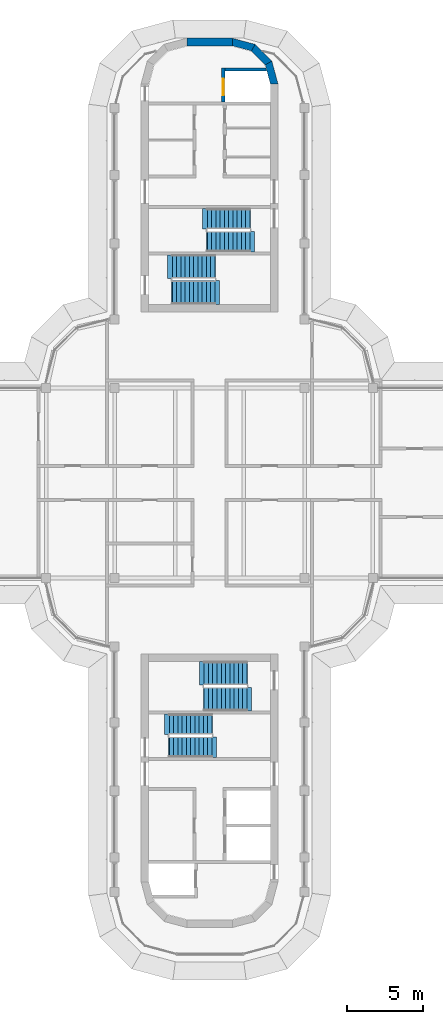
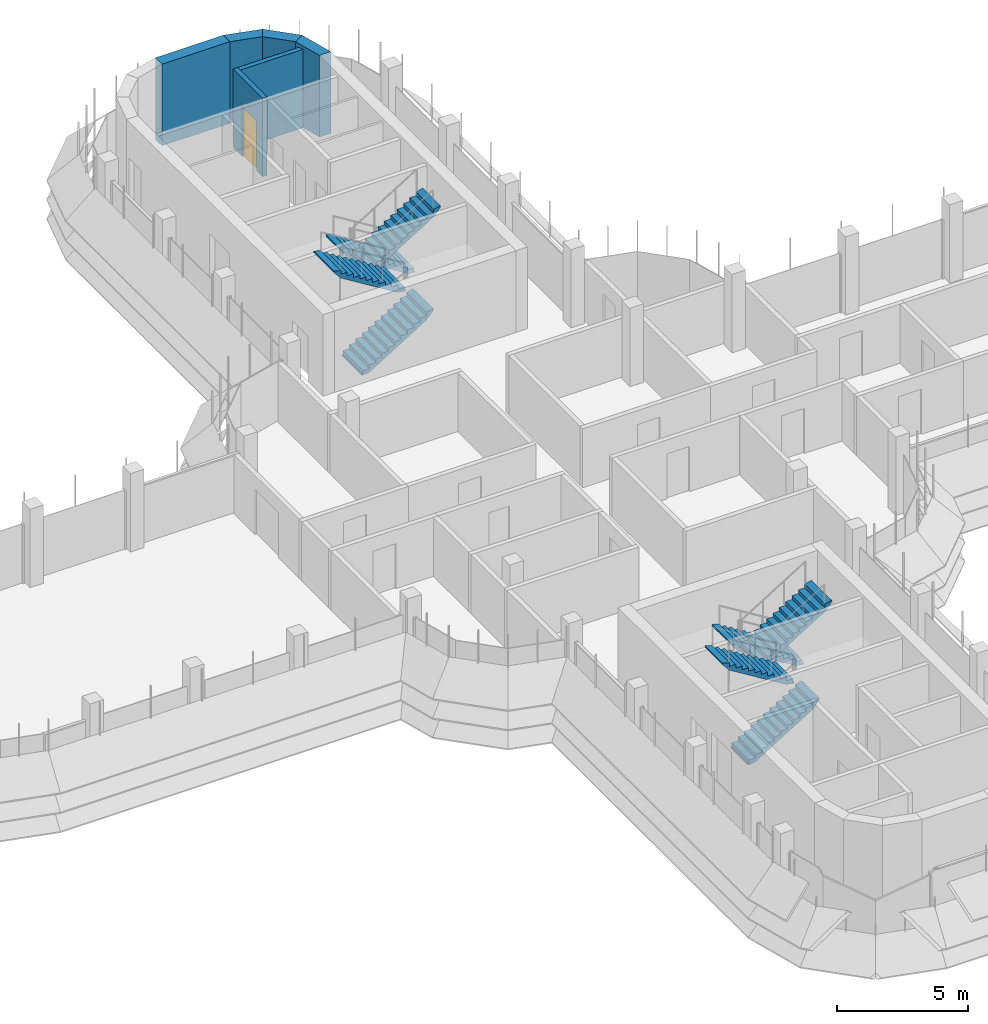
# One storey, part 16 of 20: 8 stair flights, 6 walls, 1 door, 1 opening, 4 elements without a shape of their own.
"""IFC4 building model written with IfcOpenShell, lengths in metres."""

from ifc_helpers import new_model, si_unit, direction, frame, frame_2d, origin, place, context, subcontext, project, spatial, polyline, rectangle, outline, extrude, material, layer, layer_set, type_object, element, fill, aggregate, save


model = new_model("IFC4")

# Units and contexts
model_context = context("Model", 3, precision=1e-05, world=origin(), true_north=direction((0.0, 1.0)))
body_context = subcontext(model_context, "Body", "Model", "MODEL_VIEW")
ifc_project = project(units=[si_unit("LENGTHUNIT", "METRE"), si_unit("AREAUNIT", "SQUARE_METRE"), si_unit("VOLUMEUNIT", "CUBIC_METRE"), si_unit("PLANEANGLEUNIT", "RADIAN"), si_unit("MASSUNIT", "GRAM", prefix="KILO")], contexts=[model_context])

# Site, building, storey
site_placement = place(None, origin())
site = spatial("IfcSite", under=ifc_project, at=site_placement, CompositionType="ELEMENT")
building_placement = place(site_placement, origin())
building = spatial("IfcBuilding", under=site, at=building_placement, Name="Zarbagh Exchange Tower", CompositionType="ELEMENT")
storey_placement = place(building_placement, frame((0.0, 0.0, 249.800048828125)))
storey = spatial("IfcBuildingStorey", under=building, at=storey_placement, Name="L61", CompositionType="ELEMENT", Elevation=249.800048828125)

# Walls
ifc_material_1 = material(Name="Concrete C40/50", Category="concrete")
ifc_layer_1 = layer(ifc_material_1, 0.5)
ifc_layer_set_1 = layer_set([ifc_layer_1], Name="RC core corner wall 500 C40/50")
wall_type_1 = type_object("IfcWallType", Name="RC core corner wall 500 C40/50", PredefinedType="SHEAR", material=ifc_layer_set_1)
wall_1_placement = place(storey_placement, origin())
element("IfcWall", 1, at=wall_1_placement, inside=storey, type_object=wall_type_1, Name="CW10 core N corner E", PredefinedType="SHEAR", context=body_context, shape_type="SweptSolid", body=[
    extrude(outline(polyline([(4.5, 26.25), (4.09814453125, 27.75), (3.6650390625, 27.5), (4.0, 26.25), (4.5, 26.25)])), origin(), (0.0, 0.0, 1.0), 3.800048828125),
])
wall_2_placement = place(storey_placement, origin())
element("IfcWall", 2, at=wall_2_placement, inside=storey, type_object=wall_type_1, Name="CW10 core N corner E", PredefinedType="SHEAR", context=body_context, shape_type="SweptSolid", body=[
    extrude(outline(polyline([(4.09814453125, 27.75), (3.0, 28.84814453125), (2.75, 28.4150390625), (3.6650390625, 27.5), (4.09814453125, 27.75)])), origin(), (0.0, 0.0, 1.0), 3.800048828125),
])
wall_3_placement = place(storey_placement, origin())
element("IfcWall", 3, at=wall_3_placement, inside=storey, type_object=wall_type_1, Name="CW10 core N corner E", PredefinedType="SHEAR", context=body_context, shape_type="SweptSolid", body=[
    extrude(outline(polyline([(3.0, 28.84814453125), (1.5, 29.25), (1.5, 28.75), (2.75, 28.4150390625), (3.0, 28.84814453125)])), origin(), (0.0, 0.0, 1.0), 3.800048828125),
])
ifc_layer_2 = layer(ifc_material_1, 0.5)
ifc_layer_set_2 = layer_set([ifc_layer_2], Name="RC core wall 500 C40/50")
wall_type_2 = type_object("IfcWallType", Name="RC core wall 500 C40/50", PredefinedType="SHEAR", material=ifc_layer_set_2)
wall_4_placement = place(storey_placement, frame((-1.5, 29.0, 0.0), z_axis=(0.0, 0.0, 1.0), x_axis=(1.0, 0.0, 0.0)))
element("IfcWall", 4, at=wall_4_placement, inside=storey, type_object=wall_type_2, Name="CW9 core N outer end", PredefinedType="SHEAR", context=body_context, shape_type="SweptSolid", body=[
    extrude(rectangle(XDim=3.0, YDim=0.5, at=frame_2d((1.5, 0.0))), origin(), (0.0, 0.0, 1.0), 3.800048828125),
])

# Wall, opening, door
ifc_layer_3 = layer(ifc_material_1, 0.199951171875)
ifc_layer_set_3 = layer_set([ifc_layer_3], Name="Stair enclosure wall 200 mm RC C40/50")
wall_type_3 = type_object("IfcWallType", Name="Stair enclosure wall 200 mm RC C40/50", PredefinedType="SHEAR", material=ifc_layer_set_3)
wall_5_placement = place(storey_placement, frame((0.89990234375, 27.300048828125, 0.0), z_axis=(0.0, 0.0, 1.0), x_axis=(0.0, -1.0, 0.0)))
wall_5 = element("IfcWall", 5, at=wall_5_placement, inside=storey, type_object=wall_type_3, Name="North core lift shaft wall FFL", PredefinedType="SHEAR", context=body_context, shape_type="SweptSolid", body=[
    extrude(rectangle(XDim=2.25, YDim=0.199951171875, at=frame_2d((1.125, 0.0))), origin(), (0.0, 0.0, 1.0), 3.64990234375),
])
opening_placement = place(wall_5_placement, frame((0.699951171875, 0.0, 0.0)))
opening = element("IfcOpeningElement", 6, at=opening_placement, cuts=wall_5, Name="Opening LD-1100", PredefinedType="OPENING", context=body_context, shape_type="SweptSolid", body=[
    extrude(rectangle(XDim=1.10009765625, YDim=2.300048828125, at=frame_2d((0.550048828125, 1.14990234375))), frame((0.0, 0.10986328125, 0.0), z_axis=(0.0, -1.0, 0.0), x_axis=(1.0, 0.0, 0.0)), (0.0, 0.0, 1.0), 0.219970703125),
])
ifc_material_2 = material(Name="Stainless steel", Category="steel")
door_type = type_object("IfcDoorType", Name="Lift landing door 1100 x 2300", OperationType="NOTDEFINED", PredefinedType="DOOR", material=ifc_material_2)
door_placement = place(opening_placement, origin())
door = element("IfcDoor", 7, at=door_placement, inside=storey, type_object=door_type, Name="North core lift landing door LD-F", OperationType="DOUBLE_DOOR_SLIDING", OverallHeight=2.300048828125, OverallWidth=1.10009765625, PredefinedType="DOOR", context=body_context, shape_type="SweptSolid", body=[
    extrude(rectangle(XDim=1.10009765625, YDim=2.300048828125, at=frame_2d((0.550048828125, 1.14990234375))), frame((0.0, 0.02490234375, 0.0), z_axis=(0.0, -1.0, 0.0), x_axis=(1.0, 0.0, 0.0)), (0.0, 0.0, 1.0), 0.050048828125),
])
fill(opening, door)

# Wall
wall_6_placement = place(storey_placement, origin())
element("IfcWall", 8, at=wall_6_placement, inside=storey, type_object=wall_type_3, Name="North core lift shaft wall FFX", PredefinedType="SHEAR", context=body_context, shape_type="SweptSolid", body=[
    extrude(outline(polyline([(1.0, 27.10009765625), (3.754638671875, 27.10009765625), (3.700927734375, 27.300048828125), (1.0, 27.300048828125), (1.0, 27.10009765625)])), origin(), (0.0, 0.0, 1.0), 3.64990234375),
])

# Stair, stair flights
stair_type = type_object("IfcStairType", Name="Exit stair two-flight half-turn", PredefinedType="HALF_TURN_STAIR", material=ifc_material_1)
stair_1_placement = place(storey_placement, origin())
stair_1 = element("IfcStair", 9, at=stair_1_placement, inside=storey, type_object=stair_type, Name="exit stair ST1", PredefinedType="HALF_TURN_STAIR")
stair_flight_type_1 = type_object("IfcStairFlightType", Name="Stair flight 1350 mm", PredefinedType="STRAIGHT", material=ifc_material_1)
stair_flight_1_placement = place(storey_placement, frame((2.64990234375, 17.375, 0.0), z_axis=(0.0, 0.0, 1.0), x_axis=(-1.0, 0.0, 0.0)))
stair_flight_1 = element("IfcStairFlight", 10, at=stair_flight_1_placement, type_object=stair_flight_type_1, Name="ST1 flight 1", NumberOfRisers=11, NumberOfTreads=10, PredefinedType="STRAIGHT", RiserHeight=0.172727273, TreadLength=0.28, context=body_context, shape_type="SweptSolid", body=[
    extrude(outline(polyline([(-0.050048828125, -0.050048828125), (-0.050048828125, 0.0), (0.0, 0.0), (0.0, 0.172607421875), (0.280029296875, 0.172607421875), (0.280029296875, 0.345458984375), (0.56005859375, 0.345458984375), (0.56005859375, 0.51806640625), (0.840087890625, 0.51806640625), (0.840087890625, 0.69091796875), (1.1201171875, 0.69091796875), (1.1201171875, 0.863525390625), (1.39990234375, 0.863525390625), (1.39990234375, 1.036376953125), (1.679931640625, 1.036376953125), (1.679931640625, 1.208984375), (1.9599609375, 1.208984375), (1.9599609375, 1.3818359375), (2.239990234375, 1.3818359375), (2.239990234375, 1.554443359375), (2.52001953125, 1.554443359375), (2.52001953125, 1.727294921875), (2.800048828125, 1.727294921875), (2.800048828125, 1.89990234375), (3.10009765625, 1.97998046875), (3.10009765625, 1.89990234375), (2.800048828125, 1.551025390625), (0.285400390625, 0.0), (-0.050048828125, -0.050048828125)])), frame((0.0, 0.675048828125, 0.0), z_axis=(0.0, -1.0, 0.0), x_axis=(1.0, 0.0, 0.0)), (0.0, 0.0, 1.0), 1.35009765625),
])
stair_flight_2_placement = place(storey_placement, frame((-0.14990234375, 15.875, 1.89990234375), z_axis=(0.0, 0.0, 1.0), x_axis=(1.0, 0.0, 0.0)))
stair_flight_2 = element("IfcStairFlight", 11, at=stair_flight_2_placement, type_object=stair_flight_type_1, Name="ST1 flight 2", NumberOfRisers=11, NumberOfTreads=10, PredefinedType="STRAIGHT", RiserHeight=0.172727273, TreadLength=0.28, context=body_context, shape_type="SweptSolid", body=[
    extrude(outline(polyline([(-0.050048828125, -0.050048828125), (-0.050048828125, 0.0), (0.0, 0.0), (0.0, 0.172607421875), (0.280029296875, 0.172607421875), (0.280029296875, 0.345458984375), (0.56005859375, 0.345458984375), (0.56005859375, 0.51806640625), (0.840087890625, 0.51806640625), (0.840087890625, 0.69091796875), (1.1201171875, 0.69091796875), (1.1201171875, 0.863525390625), (1.39990234375, 0.863525390625), (1.39990234375, 1.036376953125), (1.679931640625, 1.036376953125), (1.679931640625, 1.208984375), (1.9599609375, 1.208984375), (1.9599609375, 1.3818359375), (2.239990234375, 1.3818359375), (2.239990234375, 1.554443359375), (2.52001953125, 1.554443359375), (2.52001953125, 1.727294921875), (2.800048828125, 1.727294921875), (2.800048828125, 1.89990234375), (3.10009765625, 1.97998046875), (3.10009765625, 1.89990234375), (2.800048828125, 1.551025390625), (0.285400390625, 0.0), (-0.050048828125, -0.050048828125)])), frame((0.0, 0.675048828125, 0.0), z_axis=(0.0, -1.0, 0.0), x_axis=(1.0, 0.0, 0.0)), (0.0, 0.0, 1.0), 1.35009765625),
])
aggregate(stair_1, [stair_flight_1, stair_flight_2])

stair_2_placement = place(storey_placement, origin())
stair_2 = element("IfcStair", 12, at=stair_2_placement, inside=storey, type_object=stair_type, Name="exit stair ST3", PredefinedType="HALF_TURN_STAIR")
stair_flight_3_placement = place(storey_placement, frame((-2.64990234375, -17.375, 0.0), z_axis=(0.0, 0.0, 1.0), x_axis=(1.0, 0.0, 0.0)))
stair_flight_3 = element("IfcStairFlight", 13, at=stair_flight_3_placement, type_object=stair_flight_type_1, Name="ST3 flight 1", NumberOfRisers=11, NumberOfTreads=10, PredefinedType="STRAIGHT", RiserHeight=0.172727273, TreadLength=0.28, context=body_context, shape_type="SweptSolid", body=[
    extrude(outline(polyline([(-0.050048828125, -0.050048828125), (-0.050048828125, 0.0), (0.0, 0.0), (0.0, 0.172607421875), (0.280029296875, 0.172607421875), (0.280029296875, 0.345458984375), (0.56005859375, 0.345458984375), (0.56005859375, 0.51806640625), (0.840087890625, 0.51806640625), (0.840087890625, 0.69091796875), (1.1201171875, 0.69091796875), (1.1201171875, 0.863525390625), (1.39990234375, 0.863525390625), (1.39990234375, 1.036376953125), (1.679931640625, 1.036376953125), (1.679931640625, 1.208984375), (1.9599609375, 1.208984375), (1.9599609375, 1.3818359375), (2.239990234375, 1.3818359375), (2.239990234375, 1.554443359375), (2.52001953125, 1.554443359375), (2.52001953125, 1.727294921875), (2.800048828125, 1.727294921875), (2.800048828125, 1.89990234375), (3.10009765625, 1.97998046875), (3.10009765625, 1.89990234375), (2.800048828125, 1.551025390625), (0.285400390625, 0.0), (-0.050048828125, -0.050048828125)])), frame((0.0, 0.675048828125, 0.0), z_axis=(0.0, -1.0, 0.0), x_axis=(1.0, 0.0, 0.0)), (0.0, 0.0, 1.0), 1.35009765625),
])
stair_flight_4_placement = place(storey_placement, frame((0.14990234375, -15.875, 1.89990234375), z_axis=(0.0, 0.0, 1.0), x_axis=(-1.0, 0.0, 0.0)))
stair_flight_4 = element("IfcStairFlight", 14, at=stair_flight_4_placement, type_object=stair_flight_type_1, Name="ST3 flight 2", NumberOfRisers=11, NumberOfTreads=10, PredefinedType="STRAIGHT", RiserHeight=0.172727273, TreadLength=0.28, context=body_context, shape_type="SweptSolid", body=[
    extrude(outline(polyline([(-0.050048828125, -0.050048828125), (-0.050048828125, 0.0), (0.0, 0.0), (0.0, 0.172607421875), (0.280029296875, 0.172607421875), (0.280029296875, 0.345458984375), (0.56005859375, 0.345458984375), (0.56005859375, 0.51806640625), (0.840087890625, 0.51806640625), (0.840087890625, 0.69091796875), (1.1201171875, 0.69091796875), (1.1201171875, 0.863525390625), (1.39990234375, 0.863525390625), (1.39990234375, 1.036376953125), (1.679931640625, 1.036376953125), (1.679931640625, 1.208984375), (1.9599609375, 1.208984375), (1.9599609375, 1.3818359375), (2.239990234375, 1.3818359375), (2.239990234375, 1.554443359375), (2.52001953125, 1.554443359375), (2.52001953125, 1.727294921875), (2.800048828125, 1.727294921875), (2.800048828125, 1.89990234375), (3.10009765625, 1.97998046875), (3.10009765625, 1.89990234375), (2.800048828125, 1.551025390625), (0.285400390625, 0.0), (-0.050048828125, -0.050048828125)])), frame((0.0, 0.675048828125, 0.0), z_axis=(0.0, -1.0, 0.0), x_axis=(1.0, 0.0, 0.0)), (0.0, 0.0, 1.0), 1.35009765625),
])
aggregate(stair_2, [stair_flight_3, stair_flight_4])

stair_3_placement = place(storey_placement, origin())
stair_3 = element("IfcStair", 15, at=stair_3_placement, inside=storey, type_object=stair_type, Name="exit stair ST2", PredefinedType="HALF_TURN_STAIR")
stair_flight_type_2 = type_object("IfcStairFlightType", Name="Stair flight 1550 mm", PredefinedType="STRAIGHT", material=ifc_material_1)
stair_flight_5_placement = place(storey_placement, frame((-2.449951171875, 12.52490234375, 0.0), z_axis=(0.0, 0.0, 1.0), x_axis=(1.0, 0.0, 0.0)))
stair_flight_5 = element("IfcStairFlight", 16, at=stair_flight_5_placement, type_object=stair_flight_type_2, Name="ST2 flight 1", NumberOfRisers=11, NumberOfTreads=10, PredefinedType="STRAIGHT", RiserHeight=0.172727273, TreadLength=0.28, context=body_context, shape_type="SweptSolid", body=[
    extrude(outline(polyline([(-0.050048828125, -0.050048828125), (-0.050048828125, 0.0), (0.0, 0.0), (0.0, 0.172607421875), (0.280029296875, 0.172607421875), (0.280029296875, 0.345458984375), (0.56005859375, 0.345458984375), (0.56005859375, 0.51806640625), (0.840087890625, 0.51806640625), (0.840087890625, 0.69091796875), (1.1201171875, 0.69091796875), (1.1201171875, 0.863525390625), (1.39990234375, 0.863525390625), (1.39990234375, 1.036376953125), (1.679931640625, 1.036376953125), (1.679931640625, 1.208984375), (1.9599609375, 1.208984375), (1.9599609375, 1.3818359375), (2.239990234375, 1.3818359375), (2.239990234375, 1.554443359375), (2.52001953125, 1.554443359375), (2.52001953125, 1.727294921875), (2.800048828125, 1.727294921875), (2.800048828125, 1.89990234375), (3.10009765625, 1.97998046875), (3.10009765625, 1.89990234375), (2.800048828125, 1.551025390625), (0.285400390625, 0.0), (-0.050048828125, -0.050048828125)])), frame((0.0, 0.77490234375, 0.0), z_axis=(0.0, -1.0, 0.0), x_axis=(1.0, 0.0, 0.0)), (0.0, 0.0, 1.0), 1.550048828125),
])
stair_flight_6_placement = place(storey_placement, frame((0.35009765625, 14.22509765625, 1.89990234375), z_axis=(0.0, 0.0, 1.0), x_axis=(-1.0, 0.0, 0.0)))
stair_flight_6 = element("IfcStairFlight", 17, at=stair_flight_6_placement, type_object=stair_flight_type_2, Name="ST2 flight 2", NumberOfRisers=11, NumberOfTreads=10, PredefinedType="STRAIGHT", RiserHeight=0.172727273, TreadLength=0.28, context=body_context, shape_type="SweptSolid", body=[
    extrude(outline(polyline([(-0.050048828125, -0.050048828125), (-0.050048828125, 0.0), (0.0, 0.0), (0.0, 0.172607421875), (0.280029296875, 0.172607421875), (0.280029296875, 0.345458984375), (0.56005859375, 0.345458984375), (0.56005859375, 0.51806640625), (0.840087890625, 0.51806640625), (0.840087890625, 0.69091796875), (1.1201171875, 0.69091796875), (1.1201171875, 0.863525390625), (1.39990234375, 0.863525390625), (1.39990234375, 1.036376953125), (1.679931640625, 1.036376953125), (1.679931640625, 1.208984375), (1.9599609375, 1.208984375), (1.9599609375, 1.3818359375), (2.239990234375, 1.3818359375), (2.239990234375, 1.554443359375), (2.52001953125, 1.554443359375), (2.52001953125, 1.727294921875), (2.800048828125, 1.727294921875), (2.800048828125, 1.89990234375), (3.10009765625, 1.97998046875), (3.10009765625, 1.89990234375), (2.800048828125, 1.551025390625), (0.285400390625, 0.0), (-0.050048828125, -0.050048828125)])), frame((0.0, 0.77490234375, 0.0), z_axis=(0.0, -1.0, 0.0), x_axis=(1.0, 0.0, 0.0)), (0.0, 0.0, 1.0), 1.550048828125),
])
aggregate(stair_3, [stair_flight_5, stair_flight_6])

stair_4_placement = place(storey_placement, origin())
stair_4 = element("IfcStair", 18, at=stair_4_placement, inside=storey, type_object=stair_type, Name="exit stair ST4", PredefinedType="HALF_TURN_STAIR")
stair_flight_7_placement = place(storey_placement, frame((2.449951171875, -12.52490234375, 0.0), z_axis=(0.0, 0.0, 1.0), x_axis=(-1.0, 0.0, 0.0)))
stair_flight_7 = element("IfcStairFlight", 19, at=stair_flight_7_placement, type_object=stair_flight_type_2, Name="ST4 flight 1", NumberOfRisers=11, NumberOfTreads=10, PredefinedType="STRAIGHT", RiserHeight=0.172727273, TreadLength=0.28, context=body_context, shape_type="SweptSolid", body=[
    extrude(outline(polyline([(-0.050048828125, -0.050048828125), (-0.050048828125, 0.0), (0.0, 0.0), (0.0, 0.172607421875), (0.280029296875, 0.172607421875), (0.280029296875, 0.345458984375), (0.56005859375, 0.345458984375), (0.56005859375, 0.51806640625), (0.840087890625, 0.51806640625), (0.840087890625, 0.69091796875), (1.1201171875, 0.69091796875), (1.1201171875, 0.863525390625), (1.39990234375, 0.863525390625), (1.39990234375, 1.036376953125), (1.679931640625, 1.036376953125), (1.679931640625, 1.208984375), (1.9599609375, 1.208984375), (1.9599609375, 1.3818359375), (2.239990234375, 1.3818359375), (2.239990234375, 1.554443359375), (2.52001953125, 1.554443359375), (2.52001953125, 1.727294921875), (2.800048828125, 1.727294921875), (2.800048828125, 1.89990234375), (3.10009765625, 1.97998046875), (3.10009765625, 1.89990234375), (2.800048828125, 1.551025390625), (0.285400390625, 0.0), (-0.050048828125, -0.050048828125)])), frame((0.0, 0.77490234375, 0.0), z_axis=(0.0, -1.0, 0.0), x_axis=(1.0, 0.0, 0.0)), (0.0, 0.0, 1.0), 1.550048828125),
])
stair_flight_8_placement = place(storey_placement, frame((-0.35009765625, -14.22509765625, 1.89990234375), z_axis=(0.0, 0.0, 1.0), x_axis=(1.0, 0.0, 0.0)))
stair_flight_8 = element("IfcStairFlight", 20, at=stair_flight_8_placement, type_object=stair_flight_type_2, Name="ST4 flight 2", NumberOfRisers=11, NumberOfTreads=10, PredefinedType="STRAIGHT", RiserHeight=0.172727273, TreadLength=0.28, context=body_context, shape_type="SweptSolid", body=[
    extrude(outline(polyline([(-0.050048828125, -0.050048828125), (-0.050048828125, 0.0), (0.0, 0.0), (0.0, 0.172607421875), (0.280029296875, 0.172607421875), (0.280029296875, 0.345458984375), (0.56005859375, 0.345458984375), (0.56005859375, 0.51806640625), (0.840087890625, 0.51806640625), (0.840087890625, 0.69091796875), (1.1201171875, 0.69091796875), (1.1201171875, 0.863525390625), (1.39990234375, 0.863525390625), (1.39990234375, 1.036376953125), (1.679931640625, 1.036376953125), (1.679931640625, 1.208984375), (1.9599609375, 1.208984375), (1.9599609375, 1.3818359375), (2.239990234375, 1.3818359375), (2.239990234375, 1.554443359375), (2.52001953125, 1.554443359375), (2.52001953125, 1.727294921875), (2.800048828125, 1.727294921875), (2.800048828125, 1.89990234375), (3.10009765625, 1.97998046875), (3.10009765625, 1.89990234375), (2.800048828125, 1.551025390625), (0.285400390625, 0.0), (-0.050048828125, -0.050048828125)])), frame((0.0, 0.77490234375, 0.0), z_axis=(0.0, -1.0, 0.0), x_axis=(1.0, 0.0, 0.0)), (0.0, 0.0, 1.0), 1.550048828125),
])
aggregate(stair_4, [stair_flight_7, stair_flight_8])

save(model, "model.ifc")
